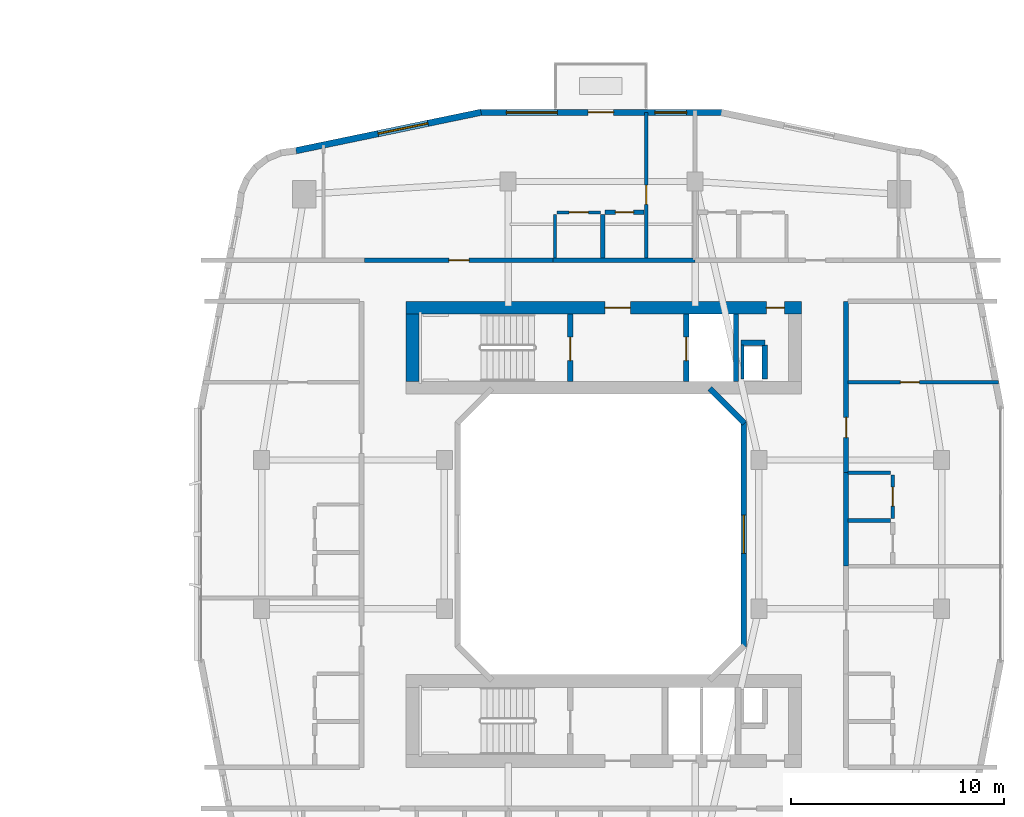
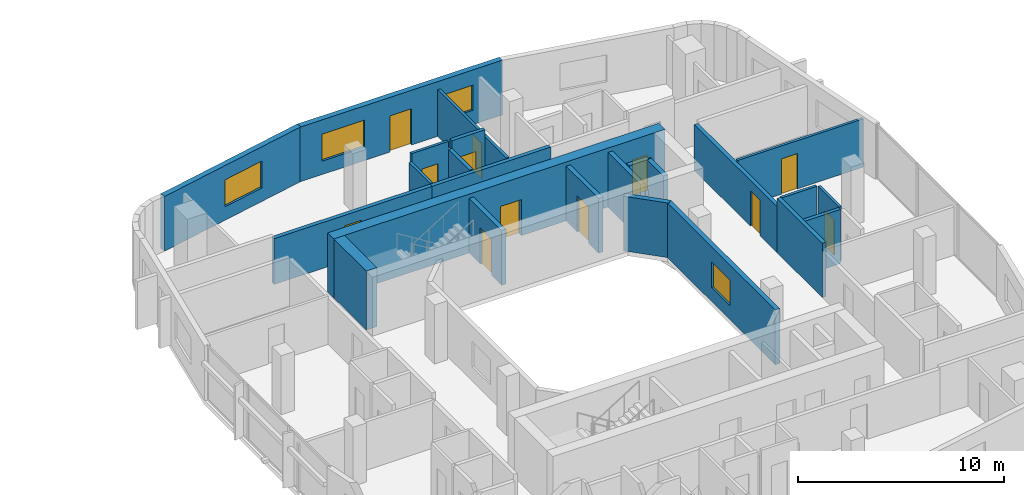
# One storey, part 15 of 22: 25 walls, 12 doors, 4 windows, 16 openings.
"""IFC4 building model written with IfcOpenShell, lengths in metres."""

from ifc_helpers import new_model, si_unit, derived_unit, direction, frame, frame_2d, origin, place, context, subcontext, project, spatial, rectangle, extrude, material, layer, layer_set, type_object, element, fill, save


model = new_model("IFC4")

# Units and contexts
model_context = context("Model", 3, precision=1e-05, world=origin(), true_north=direction((0.0, 1.0)))
body_context = subcontext(model_context, "Body", "Model", "MODEL_VIEW")
ifc_project = project(units=[si_unit("LENGTHUNIT", "METRE"), si_unit("AREAUNIT", "SQUARE_METRE"), si_unit("VOLUMEUNIT", "CUBIC_METRE"), si_unit("PLANEANGLEUNIT", "RADIAN"), si_unit("MASSUNIT", "GRAM", prefix="KILO"), derived_unit("THERMALTRANSMITTANCEUNIT", [(si_unit("POWERUNIT", "WATT"), 1), (si_unit("LENGTHUNIT", "METRE"), -2), (si_unit("THERMODYNAMICTEMPERATUREUNIT", "KELVIN"), -1)])], contexts=[model_context])

# Site, building, storey
site_placement = place(None, origin())
site = spatial("IfcSite", under=ifc_project, at=site_placement, CompositionType="ELEMENT")
building_placement = place(site_placement, origin())
building = spatial("IfcBuilding", under=site, at=building_placement, Name="Kivonza Crest Hotel", CompositionType="ELEMENT")
storey_placement = place(building_placement, frame((0.0, 0.0, 27.5)))
storey = spatial("IfcBuildingStorey", under=building, at=storey_placement, Name="L06", CompositionType="ELEMENT", Elevation=27.5)

# Wall
ifc_material_1 = material(Name="Autoclaved aerated concrete blockwork", Category="masonry")
ifc_layer_1 = layer(ifc_material_1, 0.219970703125)
ifc_layer_set_1 = layer_set([ifc_layer_1], Name="Autoclaved aerated concrete blockwork")
wall_type_1 = type_object("IfcWallType", Name="WL-ACOU-220", PredefinedType="SOLIDWALL", material=ifc_layer_set_1)
wall_1_placement = place(storey_placement, frame((74.719970703125, 37.89990234375, 0.0), z_axis=(0.0, 0.0, 1.0), x_axis=(1.0, 0.0, 0.0)))
element("IfcWall", 1, at=wall_1_placement, inside=storey, type_object=wall_type_1, Name="L06 interior partition WA-L06-A01-RCORR", PredefinedType="SOLIDWALL", context=body_context, shape_type="SweptSolid", body=[
    extrude(rectangle(XDim=6.679931640625, YDim=0.219970703125, at=frame_2d((3.33984375, 0.0))), origin(), (0.0, 0.0, 1.0), 2.72509765625),
])

# Wall, opening, door
wall_2_placement = place(storey_placement, frame((65.85009765625, 37.89990234375, 0.0), z_axis=(0.0, 0.0, 1.0), x_axis=(1.0, 0.0, 0.0)))
wall_2 = element("IfcWall", 2, at=wall_2_placement, inside=storey, type_object=wall_type_1, Name="L06 interior partition WA-L06-A01-MCORR", PredefinedType="SOLIDWALL", context=body_context, shape_type="SweptSolid", body=[
    extrude(rectangle(XDim=8.869873046875, YDim=0.219970703125, at=frame_2d((4.43505859375, 0.0))), origin(), (0.0, 0.0, 1.0), 2.72509765625),
])
opening_1_placement = place(wall_2_placement, frame((3.9599609375, 0.0, 0.0)))
opening_1 = element("IfcOpeningElement", 3, at=opening_1_placement, cuts=wall_2, Name="Opening DU-60", PredefinedType="OPENING", context=body_context, shape_type="SweptSolid", body=[
    extrude(rectangle(XDim=0.949951171875, YDim=2.10009765625, at=frame_2d((0.47509765625, 1.050048828125))), frame((0.0, 0.1201171875, 0.0), z_axis=(0.0, -1.0, 0.0), x_axis=(1.0, 0.0, 0.0)), (0.0, 0.0, 1.0), 0.239990234375),
])
ifc_material_2 = material(Name="Hardwood timber oak", Category="wood")
door_type_1 = type_object("IfcDoorType", Name="DR-UNIT-950", OperationType="NOTDEFINED", PredefinedType="DOOR", material=ifc_material_2)
door_1_placement = place(opening_1_placement, origin())
door_1 = element("IfcDoor", 4, at=door_1_placement, inside=storey, type_object=door_type_1, Name="L06 A01 apartment entrance fire door", OperationType="SINGLE_SWING_LEFT", OverallHeight=2.10009765625, OverallWidth=0.949951171875, PredefinedType="DOOR", context=body_context, shape_type="SweptSolid", body=[
    extrude(rectangle(XDim=0.949951171875, YDim=2.10009765625, at=frame_2d((0.47509765625, 1.050048828125))), frame((0.0, 0.02490234375, 0.0), z_axis=(0.0, -1.0, 0.0), x_axis=(1.0, 0.0, 0.0)), (0.0, 0.0, 1.0), 0.050048828125),
])
fill(opening_1, door_1)

# Wall
wall_3_placement = place(storey_placement, frame((88.5, 23.5, 0.0), z_axis=(0.0, 0.0, 1.0), x_axis=(0.0, 1.0, 0.0)))
element("IfcWall", 5, at=wall_3_placement, inside=storey, type_object=wall_type_1, Name="L06 interior partition WA-L06-A08-BCORR", PredefinedType="SOLIDWALL", context=body_context, shape_type="SweptSolid", body=[
    extrude(rectangle(XDim=4.39990234375, YDim=0.219970703125, at=frame_2d((2.199951171875, 0.0))), origin(), (0.0, 0.0, 1.0), 3.219970703125),
])

# Wall, opening, door
wall_4_placement = place(storey_placement, frame((88.5, 27.89990234375, 0.0), z_axis=(0.0, 0.0, 1.0), x_axis=(0.0, 1.0, 0.0)))
wall_4 = element("IfcWall", 6, at=wall_4_placement, inside=storey, type_object=wall_type_1, Name="L06 interior partition WA-L06-A08-MCORR", PredefinedType="SOLIDWALL", context=body_context, shape_type="SweptSolid", body=[
    extrude(rectangle(XDim=8.06005859375, YDim=0.219970703125, at=frame_2d((4.030029296875, 0.0))), origin(), (0.0, 0.0, 1.0), 2.72509765625),
])
opening_2_placement = place(wall_4_placement, frame((1.655029296875, 0.0, 0.0)))
opening_2 = element("IfcOpeningElement", 7, at=opening_2_placement, cuts=wall_4, Name="Opening DU-60", PredefinedType="OPENING", context=body_context, shape_type="SweptSolid", body=[
    extrude(rectangle(XDim=0.949951171875, YDim=2.10009765625, at=frame_2d((0.47509765625, 1.050048828125))), frame((0.0, 0.1201171875, 0.0), z_axis=(0.0, -1.0, 0.0), x_axis=(1.0, 0.0, 0.0)), (0.0, 0.0, 1.0), 0.239990234375),
])
door_2_placement = place(opening_2_placement, frame((0.949951171875, 0.0, 0.0), z_axis=(0.0, 0.0, 1.0), x_axis=(-1.0, 0.0, 0.0)))
door_2 = element("IfcDoor", 8, at=door_2_placement, inside=storey, type_object=door_type_1, Name="L06 A08 apartment entrance fire door", OperationType="SINGLE_SWING_RIGHT", OverallHeight=2.10009765625, OverallWidth=0.949951171875, PredefinedType="DOOR", context=body_context, shape_type="SweptSolid", body=[
    extrude(rectangle(XDim=0.949951171875, YDim=2.10009765625, at=frame_2d((0.47509765625, 1.050048828125))), frame((0.0, 0.02490234375, 0.0), z_axis=(0.0, -1.0, 0.0), x_axis=(1.0, 0.0, 0.0)), (0.0, 0.0, 1.0), 0.050048828125),
])
fill(opening_2, door_2)

# Wall, openings, doors
ifc_material_3 = material(Name="Concrete C60/75", Category="concrete")
ifc_layer_2 = layer(ifc_material_3, 0.60009765625)
ifc_layer_set_2 = layer_set([ifc_layer_2], Name="Concrete C60/75")
wall_type_2 = type_object("IfcWallType", Name="WL-CORE-600", PredefinedType="SHEAR", material=ifc_layer_set_2)
wall_5_placement = place(storey_placement, frame((67.800048828125, 35.659912109375, 0.0), z_axis=(0.0, 0.0, 1.0), x_axis=(1.0, 0.0, 0.0)))
wall_5 = element("IfcWall", 9, at=wall_5_placement, inside=storey, type_object=wall_type_2, Name="Core wall T2-N North L06", PredefinedType="SHEAR", context=body_context, shape_type="SweptSolid", body=[
    extrude(rectangle(XDim=18.599853515625, YDim=0.60009765625, at=frame_2d((9.2998046875, 0.0))), origin(), (0.0, 0.0, 1.0), 3.5),
])
opening_3_placement = place(wall_5_placement, frame((9.35009765625, 0.0, 0.0)))
opening_3 = element("IfcOpeningElement", 10, at=opening_3_placement, cuts=wall_5, Name="Opening DF-60", PredefinedType="OPENING", context=body_context, shape_type="SweptSolid", body=[
    extrude(rectangle(XDim=1.199951171875, YDim=2.14990234375, at=frame_2d((0.60009765625, 1.074951171875))), frame((0.0, 0.31005859375, 0.0), z_axis=(0.0, -1.0, 0.0), x_axis=(1.0, 0.0, 0.0)), (0.0, 0.0, 1.0), 0.6201171875),
])
opening_4_placement = place(wall_5_placement, frame((16.949951171875, 0.0, 0.0)))
opening_4 = element("IfcOpeningElement", 11, at=opening_4_placement, cuts=wall_5, Name="Opening DF-60R", PredefinedType="OPENING", context=body_context, shape_type="SweptSolid", body=[
    extrude(rectangle(XDim=0.85009765625, YDim=2.10009765625, at=frame_2d((0.425048828125, 1.050048828125))), frame((0.0, 0.31005859375, 0.0), z_axis=(0.0, -1.0, 0.0), x_axis=(1.0, 0.0, 0.0)), (0.0, 0.0, 1.0), 0.6201171875),
])
door_type_2 = type_object("IfcDoorType", Name="DR-FD60-1200", OperationType="NOTDEFINED", PredefinedType="DOOR", material=ifc_material_2)
door_3_placement = place(opening_3_placement, origin())
door_3 = element("IfcDoor", 12, at=door_3_placement, inside=storey, type_object=door_type_2, Name="L06 T2-N firefighting lobby fire door", OperationType="SINGLE_SWING_RIGHT", OverallHeight=2.14990234375, OverallWidth=1.199951171875, PredefinedType="DOOR", context=body_context, shape_type="SweptSolid", body=[
    extrude(rectangle(XDim=1.199951171875, YDim=2.14990234375, at=frame_2d((0.60009765625, 1.074951171875))), frame((0.0, 0.02490234375, 0.0), z_axis=(0.0, -1.0, 0.0), x_axis=(1.0, 0.0, 0.0)), (0.0, 0.0, 1.0), 0.050048828125),
])
fill(opening_3, door_3)
door_type_3 = type_object("IfcDoorType", Name="DR-FD60-850", OperationType="NOTDEFINED", PredefinedType="DOOR", material=ifc_material_2)
door_4_placement = place(opening_4_placement, origin())
door_4 = element("IfcDoor", 13, at=door_4_placement, inside=storey, type_object=door_type_3, Name="L06 T2-N core room door", OperationType="SINGLE_SWING_RIGHT", OverallHeight=2.10009765625, OverallWidth=0.85009765625, PredefinedType="DOOR", context=body_context, shape_type="SweptSolid", body=[
    extrude(rectangle(XDim=0.85009765625, YDim=2.10009765625, at=frame_2d((0.425048828125, 1.050048828125))), frame((0.0, 0.02490234375, 0.0), z_axis=(0.0, -1.0, 0.0), x_axis=(1.0, 0.0, 0.0)), (0.0, 0.0, 1.0), 0.050048828125),
])
fill(opening_4, door_4)

# Wall
wall_6_placement = place(storey_placement, frame((68.10009765625, 32.199951171875, 0.0), z_axis=(0.0, 0.0, 1.0), x_axis=(0.0, 1.0, 0.0)))
element("IfcWall", 14, at=wall_6_placement, inside=storey, type_object=wall_type_2, Name="Core wall T2-N West L06", PredefinedType="SHEAR", context=body_context, shape_type="SweptSolid", body=[
    extrude(rectangle(XDim=3.16015625, YDim=0.60009765625, at=frame_2d((1.580078125, 0.0))), origin(), (0.0, 0.0, 1.0), 3.5),
])

# Wall, opening, window
ifc_material_4 = material(Name="Precast concrete C40/50", Category="concrete")
ifc_layer_3 = layer(ifc_material_4, 0.260009765625)
ifc_layer_set_3 = layer_set([ifc_layer_3], Name="Precast concrete C40/50")
wall_type_3 = type_object("IfcWallType", Name="WL-EXT-260", PredefinedType="STANDARD", material=ifc_layer_set_3)
wall_7_placement = place(storey_placement, frame((83.68994140625, 19.7099609375, 0.0), z_axis=(0.0, 0.0, 1.0), x_axis=(0.0, 1.0, 0.0)))
wall_7 = element("IfcWall", 15, at=wall_7_placement, inside=storey, type_object=wall_type_3, Name="L06 T2 light-well exterior wall 3", PredefinedType="STANDARD", context=body_context, shape_type="SweptSolid", body=[
    extrude(rectangle(XDim=10.580078125, YDim=0.260009765625, at=frame_2d((5.2900390625, 0.0))), origin(), (0.0, 0.0, 1.0), 3.25),
])
opening_5_placement = place(wall_7_placement, frame((4.389892578125, 0.0, 0.85009765625)))
opening_5 = element("IfcOpeningElement", 16, at=opening_5_placement, cuts=wall_7, Name="Opening WN-03", PredefinedType="OPENING", context=body_context, shape_type="SweptSolid", body=[
    extrude(rectangle(XDim=1.800048828125, YDim=1.5, at=frame_2d((0.89990234375, 0.75))), frame((0.0, 0.14013671875, 0.0), z_axis=(0.0, -1.0, 0.0), x_axis=(1.0, 0.0, 0.0)), (0.0, 0.0, 1.0), 0.280029296875),
])
ifc_material_5 = material(Name="Thermally broken bronze aluminium and low-E double glazing", Category="aluminium")
window_type_1 = type_object("IfcWindowType", Name="WN-180x150", PartitioningType="DOUBLE_PANEL_VERTICAL", PredefinedType="WINDOW", material=ifc_material_5)
window_1_placement = place(opening_5_placement, origin())
window_1 = element("IfcWindow", 17, at=window_1_placement, inside=storey, type_object=window_type_1, Name="L06 T2 light-well window 3", OverallHeight=1.5, OverallWidth=1.800048828125, PartitioningType="SINGLE_PANEL", PredefinedType="WINDOW", context=body_context, shape_type="SweptSolid", body=[
    extrude(rectangle(XDim=1.800048828125, YDim=1.5, at=frame_2d((0.89990234375, 0.75))), frame((0.0, 0.030029296875, 0.0), z_axis=(0.0, -1.0, 0.0), x_axis=(1.0, 0.0, 0.0)), (0.0, 0.0, 1.0), 0.06005859375),
])
fill(opening_5, window_1)

# Wall
wall_8_placement = place(storey_placement, frame((83.716064453125, 30.22802734375, 0.0), z_axis=(0.0, 0.0, 1.0), x_axis=(-0.707106781187, 0.707106781187, 0.0)))
element("IfcWall", 18, at=wall_8_placement, inside=storey, type_object=wall_type_3, Name="L06 T2 light-well exterior wall 4", PredefinedType="STANDARD", context=body_context, shape_type="SweptSolid", body=[
    extrude(rectangle(XDim=2.310791015625, YDim=0.260009765625, at=frame_2d((1.1552734375, 0.0))), origin(), (0.0, 0.0, 1.0), 3.25),
])

# Wall, openings, door, windows
ifc_layer_4 = layer(ifc_material_4, 0.300048828125)
ifc_layer_set_4 = layer_set([ifc_layer_4], Name="Precast concrete C40/50")
wall_type_4 = type_object("IfcWallType", Name="WL-EXT-300", PredefinedType="STANDARD", material=ifc_layer_set_4)
wall_9_placement = place(storey_placement, frame((82.673095703125, 44.85009765625, 0.0), z_axis=(0.0, 0.0, 1.0), x_axis=(-1.0, 0.0, 0.0)))
wall_9 = element("IfcWall", 19, at=wall_9_placement, inside=storey, type_object=wall_type_4, Name="L06 T2 exterior insulated wall 26", PredefinedType="STANDARD", context=body_context, shape_type="SweptSolid", body=[
    extrude(rectangle(XDim=11.39111328125, YDim=0.300048828125, at=frame_2d((5.695556640625, 0.0))), origin(), (0.0, 0.0, 1.0), 3.25),
])
opening_6_placement = place(wall_9_placement, frame((5.113037109375, 0.0, 0.0)))
opening_6 = element("IfcOpeningElement", 20, at=opening_6_placement, cuts=wall_9, Name="Opening DT-120", PredefinedType="OPENING", context=body_context, shape_type="SweptSolid", body=[
    extrude(rectangle(XDim=1.199951171875, YDim=2.14990234375, at=frame_2d((0.60009765625, 1.074951171875))), frame((0.0, 0.16015625, 0.0), z_axis=(0.0, -1.0, 0.0), x_axis=(1.0, 0.0, 0.0)), (0.0, 0.0, 1.0), 0.320068359375),
])
opening_7_placement = place(wall_9_placement, frame((1.673095703125, 0.0, 0.85009765625)))
opening_7 = element("IfcOpeningElement", 21, at=opening_7_placement, cuts=wall_9, Name="Opening WN-02", PredefinedType="OPENING", context=body_context, shape_type="SweptSolid", body=[
    extrude(rectangle(XDim=1.5, YDim=1.5, at=frame_2d((0.75, 0.75))), frame((0.0, 0.16015625, 0.0), z_axis=(0.0, -1.0, 0.0), x_axis=(1.0, 0.0, 0.0)), (0.0, 0.0, 1.0), 0.320068359375),
])
opening_8_placement = place(wall_9_placement, frame((7.757080078125, 0.0, 0.800048828125)))
opening_8 = element("IfcOpeningElement", 22, at=opening_8_placement, cuts=wall_9, Name="Opening WN-05", PredefinedType="OPENING", context=body_context, shape_type="SweptSolid", body=[
    extrude(rectangle(XDim=2.39990234375, YDim=1.60009765625, at=frame_2d((1.199951171875, 0.800048828125))), frame((0.0, 0.16015625, 0.0), z_axis=(0.0, -1.0, 0.0), x_axis=(1.0, 0.0, 0.0)), (0.0, 0.0, 1.0), 0.320068359375),
])
ifc_material_6 = material(Name="Anodised bronze aluminium and laminated safety glass", Category="aluminium")
door_type_4 = type_object("IfcDoorType", Name="DR-TERR-1200", OperationType="NOTDEFINED", PredefinedType="DOOR", material=ifc_material_6)
door_5_placement = place(opening_6_placement, frame((1.199951171875, 0.0, 0.0), z_axis=(0.0, 0.0, 1.0), x_axis=(-1.0, 0.0, 0.0)))
door_5 = element("IfcDoor", 23, at=door_5_placement, inside=storey, type_object=door_type_4, Name="T2 L06 NE sky-garden bridge access door", OperationType="SINGLE_SWING_RIGHT", OverallHeight=2.14990234375, OverallWidth=1.199951171875, PredefinedType="DOOR", context=body_context, shape_type="SweptSolid", body=[
    extrude(rectangle(XDim=1.199951171875, YDim=2.14990234375, at=frame_2d((0.60009765625, 1.074951171875))), frame((0.0, 0.02490234375, 0.0), z_axis=(0.0, -1.0, 0.0), x_axis=(1.0, 0.0, 0.0)), (0.0, 0.0, 1.0), 0.050048828125),
])
fill(opening_6, door_5)
window_type_2 = type_object("IfcWindowType", Name="WN-150x150", PartitioningType="DOUBLE_PANEL_VERTICAL", PredefinedType="WINDOW", material=ifc_material_5)
window_2_placement = place(opening_7_placement, origin())
window_2 = element("IfcWindow", 24, at=window_2_placement, inside=storey, type_object=window_type_2, Name="L06 T2 facade window 26 bay 1", OverallHeight=1.5, OverallWidth=1.5, PartitioningType="SINGLE_PANEL", PredefinedType="WINDOW", context=body_context, shape_type="SweptSolid", body=[
    extrude(rectangle(XDim=1.5, YDim=1.5, at=frame_2d((0.75, 0.75))), frame((0.0, 0.030029296875, 0.0), z_axis=(0.0, -1.0, 0.0), x_axis=(1.0, 0.0, 0.0)), (0.0, 0.0, 1.0), 0.06005859375),
])
fill(opening_7, window_2)
window_type_3 = type_object("IfcWindowType", Name="WN-240x160", PartitioningType="TRIPLE_PANEL_VERTICAL", PredefinedType="WINDOW", material=ifc_material_5)
window_3_placement = place(opening_8_placement, origin())
window_3 = element("IfcWindow", 25, at=window_3_placement, inside=storey, type_object=window_type_3, Name="L06 T2 facade window 26 bay 2", OverallHeight=1.60009765625, OverallWidth=2.39990234375, PartitioningType="SINGLE_PANEL", PredefinedType="WINDOW", context=body_context, shape_type="SweptSolid", body=[
    extrude(rectangle(XDim=2.39990234375, YDim=1.60009765625, at=frame_2d((1.199951171875, 0.800048828125))), frame((0.0, 0.030029296875, 0.0), z_axis=(0.0, -1.0, 0.0), x_axis=(1.0, 0.0, 0.0)), (0.0, 0.0, 1.0), 0.06005859375),
])
fill(opening_8, window_3)

# Wall, opening, window
wall_10_placement = place(storey_placement, frame((71.325927734375, 44.85791015625, 0.0), z_axis=(0.0, 0.0, 1.0), x_axis=(-0.979124350489, -0.203262161453, 0.0)))
wall_10 = element("IfcWall", 26, at=wall_10_placement, inside=storey, type_object=wall_type_4, Name="L06 T2 exterior insulated wall 27", PredefinedType="STANDARD", context=body_context, shape_type="SweptSolid", body=[
    extrude(rectangle(XDim=8.889404296875, YDim=0.300048828125, at=frame_2d((4.44482421875, 0.0))), origin(), (0.0, 0.0, 1.0), 3.25),
])
opening_9_placement = place(wall_10_placement, frame((2.548095703125, 0.0, 0.800048828125)))
opening_9 = element("IfcOpeningElement", 27, at=opening_9_placement, cuts=wall_10, Name="Opening WN-05", PredefinedType="OPENING", context=body_context, shape_type="SweptSolid", body=[
    extrude(rectangle(XDim=2.39990234375, YDim=1.60009765625, at=frame_2d((1.199951171875, 0.800048828125))), frame((0.0, 0.16015625, 0.0), z_axis=(0.0, -1.0, 0.0), x_axis=(1.0, 0.0, 0.0)), (0.0, 0.0, 1.0), 0.320068359375),
])
window_4_placement = place(opening_9_placement, origin())
window_4 = element("IfcWindow", 28, at=window_4_placement, inside=storey, type_object=window_type_3, Name="L06 T2 facade window 27", OverallHeight=1.60009765625, OverallWidth=2.39990234375, PartitioningType="SINGLE_PANEL", PredefinedType="WINDOW", context=body_context, shape_type="SweptSolid", body=[
    extrude(rectangle(XDim=2.39990234375, YDim=1.60009765625, at=frame_2d((1.199951171875, 0.800048828125))), frame((0.0, 0.030029296875, 0.0), z_axis=(0.0, -1.0, 0.0), x_axis=(1.0, 0.0, 0.0)), (0.0, 0.0, 1.0), 0.06005859375),
])
fill(opening_9, window_4)

# Walls
ifc_material_7 = material(Name="Concrete blockwork fire-compartment wall", Category="masonry")
ifc_layer_5 = layer(ifc_material_7, 0.25)
ifc_layer_set_5 = layer_set([ifc_layer_5], Name="Concrete blockwork fire-compartment wall")
wall_type_5 = type_object("IfcWallType", Name="WL-FIRE-250", PredefinedType="SOLIDWALL", material=ifc_layer_set_5)
wall_11_placement = place(storey_placement, frame((84.679931640625, 32.300048828125, 0.0), z_axis=(0.0, 0.0, 1.0), x_axis=(0.0, 1.0, 0.0)))
element("IfcWall", 29, at=wall_11_placement, inside=storey, type_object=wall_type_5, Name="L06 interior partition WA-L06-T2-N-MEPR-E", PredefinedType="SOLIDWALL", context=body_context, shape_type="SweptSolid", body=[
    extrude(rectangle(XDim=1.619873046875, YDim=0.25, at=frame_2d((0.81005859375, 0.0))), origin(), (0.0, 0.0, 1.0), 3.219970703125),
])
wall_12_placement = place(storey_placement, frame((83.550048828125, 34.02001953125, 0.0), z_axis=(0.0, 0.0, 1.0), x_axis=(1.0, 0.0, 0.0)))
element("IfcWall", 30, at=wall_12_placement, inside=storey, type_object=wall_type_5, Name="L06 interior partition WA-L06-T2-N-MEPR-H", PredefinedType="SOLIDWALL", context=body_context, shape_type="SweptSolid", body=[
    extrude(rectangle(XDim=1.1298828125, YDim=0.25, at=frame_2d((0.56494140625, 0.0))), origin(), (0.0, 0.0, 1.0), 3.219970703125),
])
ifc_material_8 = material(Name="Twin-stud acoustic gypsum board partition", Category="gypsum")
ifc_layer_6 = layer(ifc_material_8, 0.14990234375)
ifc_layer_set_6 = layer_set([ifc_layer_6], Name="Twin-stud acoustic gypsum board partition")
wall_type_6 = type_object("IfcWallType", Name="WL-PART-150", PredefinedType="PARTITIONING", material=ifc_layer_set_6)
wall_13_placement = place(storey_placement, frame((83.6298828125, 32.300048828125, 0.0), z_axis=(0.0, 0.0, 1.0), x_axis=(0.0, 1.0, 0.0)))
element("IfcWall", 31, at=wall_13_placement, inside=storey, type_object=wall_type_6, Name="L06 interior partition WA-L06-T2-N-MEPR-W", PredefinedType="PARTITIONING", context=body_context, shape_type="SweptSolid", body=[
    extrude(rectangle(XDim=1.619873046875, YDim=0.14990234375, at=frame_2d((0.81005859375, 0.0))), origin(), (0.0, 0.0, 1.0), 2.72509765625),
])

# Wall, opening, door
wall_14_placement = place(storey_placement, frame((79.10009765625, 38.0, 0.0), z_axis=(0.0, 0.0, 1.0), x_axis=(0.0, 1.0, 0.0)))
wall_14 = element("IfcWall", 32, at=wall_14_placement, inside=storey, type_object=wall_type_6, Name="L06 interior partition WP-L06-A01-BDW2", PredefinedType="PARTITIONING", context=body_context, shape_type="SweptSolid", body=[
    extrude(rectangle(XDim=6.840087890625, YDim=0.14990234375, at=frame_2d((3.419921875, 0.0))), origin(), (0.0, 0.0, 1.0), 2.77490234375),
])
opening_10_placement = place(wall_14_placement, frame((2.530029296875, 0.0, 0.0)))
opening_10 = element("IfcOpeningElement", 33, at=opening_10_placement, cuts=wall_14, Name="Opening DI-90", PredefinedType="OPENING", context=body_context, shape_type="SweptSolid", body=[
    extrude(rectangle(XDim=0.89990234375, YDim=2.10009765625, at=frame_2d((0.449951171875, 1.050048828125))), frame((0.0, 0.0849609375, 0.0), z_axis=(0.0, -1.0, 0.0), x_axis=(1.0, 0.0, 0.0)), (0.0, 0.0, 1.0), 0.169921875),
])
door_type_5 = type_object("IfcDoorType", Name="DR-INT-900", OperationType="NOTDEFINED", PredefinedType="DOOR", material=ifc_material_2)
door_6_placement = place(opening_10_placement, origin())
door_6 = element("IfcDoor", 34, at=door_6_placement, inside=storey, type_object=door_type_5, Name="L06 A01 bedroom 2 door", OperationType="SINGLE_SWING_LEFT", OverallHeight=2.10009765625, OverallWidth=0.89990234375, PredefinedType="DOOR", context=body_context, shape_type="SweptSolid", body=[
    extrude(rectangle(XDim=0.89990234375, YDim=2.10009765625, at=frame_2d((0.449951171875, 1.050048828125))), frame((0.0, 0.02490234375, 0.0), z_axis=(0.0, -1.0, 0.0), x_axis=(1.0, 0.0, 0.0)), (0.0, 0.0, 1.0), 0.050048828125),
])
fill(opening_10, door_6)

# Wall
wall_15_placement = place(storey_placement, frame((74.800048828125, 38.0, 0.0), z_axis=(0.0, 0.0, 1.0), x_axis=(0.0, 1.0, 0.0)))
element("IfcWall", 35, at=wall_15_placement, inside=storey, type_object=wall_type_6, Name="L06 interior partition WP-L06-A01-KF", PredefinedType="PARTITIONING", context=body_context, shape_type="SweptSolid", body=[
    extrude(rectangle(XDim=2.050048828125, YDim=0.14990234375, at=frame_2d((1.02490234375, 0.0))), origin(), (0.0, 0.0, 1.0), 2.77490234375),
])

# Wall, opening, door
wall_16_placement = place(storey_placement, frame((74.89990234375, 40.14990234375, 0.0), z_axis=(0.0, 0.0, 1.0), x_axis=(1.0, 0.0, 0.0)))
wall_16 = element("IfcWall", 36, at=wall_16_placement, inside=storey, type_object=wall_type_6, Name="L06 interior partition WP-L06-A01-KSVC", PredefinedType="PARTITIONING", context=body_context, shape_type="SweptSolid", body=[
    extrude(rectangle(XDim=2.050048828125, YDim=0.14990234375, at=frame_2d((1.02490234375, 0.0))), origin(), (0.0, 0.0, 1.0), 3.219970703125),
])
opening_11_placement = place(wall_16_placement, frame((0.574951171875, 0.0, 0.0)))
opening_11 = element("IfcOpeningElement", 37, at=opening_11_placement, cuts=wall_16, Name="Opening DI-90", PredefinedType="OPENING", context=body_context, shape_type="SweptSolid", body=[
    extrude(rectangle(XDim=0.89990234375, YDim=2.10009765625, at=frame_2d((0.449951171875, 1.050048828125))), frame((0.0, 0.0849609375, 0.0), z_axis=(0.0, -1.0, 0.0), x_axis=(1.0, 0.0, 0.0)), (0.0, 0.0, 1.0), 0.169921875),
])
door_7_placement = place(opening_11_placement, origin())
door_7 = element("IfcDoor", 38, at=door_7_placement, inside=storey, type_object=door_type_5, Name="L06 A01 apartment kitchen door", OperationType="SINGLE_SWING_LEFT", OverallHeight=2.10009765625, OverallWidth=0.89990234375, PredefinedType="DOOR", context=body_context, shape_type="SweptSolid", body=[
    extrude(rectangle(XDim=0.89990234375, YDim=2.10009765625, at=frame_2d((0.449951171875, 1.050048828125))), frame((0.0, 0.02490234375, 0.0), z_axis=(0.0, -1.0, 0.0), x_axis=(1.0, 0.0, 0.0)), (0.0, 0.0, 1.0), 0.050048828125),
])
fill(opening_11, door_7)

wall_17_placement = place(storey_placement, frame((88.60009765625, 32.159912109375, 0.0), z_axis=(0.0, 0.0, 1.0), x_axis=(1.0, 0.0, 0.0)))
wall_17 = element("IfcWall", 39, at=wall_17_placement, inside=storey, type_object=wall_type_6, Name="L06 interior partition WP-L06-A08-BD1", PredefinedType="PARTITIONING", context=body_context, shape_type="SweptSolid", body=[
    extrude(rectangle(XDim=7.059814453125, YDim=0.14990234375, at=frame_2d((3.52978515625, 0.0))), origin(), (0.0, 0.0, 1.0), 2.864990234375),
])
opening_12_placement = place(wall_17_placement, frame((2.449951171875, 0.0, 0.0)))
opening_12 = element("IfcOpeningElement", 40, at=opening_12_placement, cuts=wall_17, Name="Opening DI-90", PredefinedType="OPENING", context=body_context, shape_type="SweptSolid", body=[
    extrude(rectangle(XDim=0.89990234375, YDim=2.10009765625, at=frame_2d((0.449951171875, 1.050048828125))), frame((0.0, 0.0849609375, 0.0), z_axis=(0.0, -1.0, 0.0), x_axis=(1.0, 0.0, 0.0)), (0.0, 0.0, 1.0), 0.169921875),
])
door_8_placement = place(opening_12_placement, origin())
door_8 = element("IfcDoor", 41, at=door_8_placement, inside=storey, type_object=door_type_5, Name="L06 A08 bedroom door", OperationType="SINGLE_SWING_LEFT", OverallHeight=2.10009765625, OverallWidth=0.89990234375, PredefinedType="DOOR", context=body_context, shape_type="SweptSolid", body=[
    extrude(rectangle(XDim=0.89990234375, YDim=2.10009765625, at=frame_2d((0.449951171875, 1.050048828125))), frame((0.0, 0.02490234375, 0.0), z_axis=(0.0, -1.0, 0.0), x_axis=(1.0, 0.0, 0.0)), (0.0, 0.0, 1.0), 0.050048828125),
])
fill(opening_12, door_8)

# Wall
wall_18_placement = place(storey_placement, frame((88.60009765625, 27.89990234375, 0.0), z_axis=(0.0, 0.0, 1.0), x_axis=(1.0, 0.0, 0.0)))
element("IfcWall", 42, at=wall_18_placement, inside=storey, type_object=wall_type_6, Name="L06 interior partition WP-L06-A08-KF", PredefinedType="PARTITIONING", context=body_context, shape_type="SweptSolid", body=[
    extrude(rectangle(XDim=2.0, YDim=0.14990234375, at=frame_2d((1.0, 0.0))), origin(), (0.0, 0.0, 1.0), 3.219970703125),
])

# Wall, opening, door
wall_19_placement = place(storey_placement, frame((90.699951171875, 25.75, 0.0), z_axis=(0.0, 0.0, 1.0), x_axis=(0.0, 1.0, 0.0)))
wall_19 = element("IfcWall", 43, at=wall_19_placement, inside=storey, type_object=wall_type_6, Name="L06 interior partition WP-L06-A08-KSVC", PredefinedType="PARTITIONING", context=body_context, shape_type="SweptSolid", body=[
    extrude(rectangle(XDim=2.050048828125, YDim=0.14990234375, at=frame_2d((1.02490234375, 0.0))), origin(), (0.0, 0.0, 1.0), 3.219970703125),
])
opening_13_placement = place(wall_19_placement, frame((0.574951171875, 0.0, 0.0)))
opening_13 = element("IfcOpeningElement", 44, at=opening_13_placement, cuts=wall_19, Name="Opening DI-90", PredefinedType="OPENING", context=body_context, shape_type="SweptSolid", body=[
    extrude(rectangle(XDim=0.89990234375, YDim=2.10009765625, at=frame_2d((0.449951171875, 1.050048828125))), frame((0.0, 0.0849609375, 0.0), z_axis=(0.0, -1.0, 0.0), x_axis=(1.0, 0.0, 0.0)), (0.0, 0.0, 1.0), 0.169921875),
])
door_9_placement = place(opening_13_placement, frame((0.89990234375, 0.0, 0.0), z_axis=(0.0, 0.0, 1.0), x_axis=(-1.0, 0.0, 0.0)))
door_9 = element("IfcDoor", 45, at=door_9_placement, inside=storey, type_object=door_type_5, Name="L06 A08 apartment kitchen door", OperationType="SINGLE_SWING_RIGHT", OverallHeight=2.10009765625, OverallWidth=0.89990234375, PredefinedType="DOOR", context=body_context, shape_type="SweptSolid", body=[
    extrude(rectangle(XDim=0.89990234375, YDim=2.10009765625, at=frame_2d((0.449951171875, 1.050048828125))), frame((0.0, 0.02490234375, 0.0), z_axis=(0.0, -1.0, 0.0), x_axis=(1.0, 0.0, 0.0)), (0.0, 0.0, 1.0), 0.050048828125),
])
fill(opening_13, door_9)

# Wall
ifc_material_9 = material(Name="Moisture-resistant plumbing chase partition wall", Category="gypsum")
ifc_layer_7 = layer(ifc_material_9, 0.199951171875)
ifc_layer_set_7 = layer_set([ifc_layer_7], Name="Moisture-resistant plumbing chase partition wall")
wall_type_7 = type_object("IfcWallType", Name="WL-PLUMB-200", PredefinedType="PLUMBINGWALL", material=ifc_layer_set_7)
wall_20_placement = place(storey_placement, frame((77.050048828125, 38.0, 0.0), z_axis=(0.0, 0.0, 1.0), x_axis=(0.0, 1.0, 0.0)))
element("IfcWall", 46, at=wall_20_placement, inside=storey, type_object=wall_type_7, Name="L06 interior partition WW-L06-A01-BK", PredefinedType="PLUMBINGWALL", context=body_context, shape_type="SweptSolid", body=[
    extrude(rectangle(XDim=2.050048828125, YDim=0.199951171875, at=frame_2d((1.02490234375, 0.0))), origin(), (0.0, 0.0, 1.0), 2.77490234375),
])

# Wall, opening, door
wall_21_placement = place(storey_placement, frame((77.14990234375, 40.14990234375, 0.0), z_axis=(0.0, 0.0, 1.0), x_axis=(1.0, 0.0, 0.0)))
wall_21 = element("IfcWall", 47, at=wall_21_placement, inside=storey, type_object=wall_type_7, Name="L06 interior partition WW-L06-A01-BSVC", PredefinedType="PLUMBINGWALL", context=body_context, shape_type="SweptSolid", body=[
    extrude(rectangle(XDim=1.85009765625, YDim=0.199951171875, at=frame_2d((0.925048828125, 0.0))), origin(), (0.0, 0.0, 1.0), 3.219970703125),
])
opening_14_placement = place(wall_21_placement, frame((0.5, 0.0, 0.0)))
opening_14 = element("IfcOpeningElement", 48, at=opening_14_placement, cuts=wall_21, Name="Opening DI-85", PredefinedType="OPENING", context=body_context, shape_type="SweptSolid", body=[
    extrude(rectangle(XDim=0.85009765625, YDim=2.10009765625, at=frame_2d((0.425048828125, 1.050048828125))), frame((0.0, 0.10986328125, 0.0), z_axis=(0.0, -1.0, 0.0), x_axis=(1.0, 0.0, 0.0)), (0.0, 0.0, 1.0), 0.219970703125),
])
door_type_6 = type_object("IfcDoorType", Name="DR-INT-850", OperationType="NOTDEFINED", PredefinedType="DOOR", material=ifc_material_2)
door_10_placement = place(opening_14_placement, origin())
door_10 = element("IfcDoor", 49, at=door_10_placement, inside=storey, type_object=door_type_6, Name="L06 A01 apartment bathroom door", OperationType="SINGLE_SWING_RIGHT", OverallHeight=2.10009765625, OverallWidth=0.85009765625, PredefinedType="DOOR", context=body_context, shape_type="SweptSolid", body=[
    extrude(rectangle(XDim=0.85009765625, YDim=2.10009765625, at=frame_2d((0.425048828125, 1.050048828125))), frame((0.0, 0.02490234375, 0.0), z_axis=(0.0, -1.0, 0.0), x_axis=(1.0, 0.0, 0.0)), (0.0, 0.0, 1.0), 0.050048828125),
])
fill(opening_14, door_10)

# Wall
wall_22_placement = place(storey_placement, frame((88.60009765625, 25.64990234375, 0.0), z_axis=(0.0, 0.0, 1.0), x_axis=(1.0, 0.0, 0.0)))
element("IfcWall", 50, at=wall_22_placement, inside=storey, type_object=wall_type_7, Name="L06 interior partition WW-L06-A08-BK", PredefinedType="PLUMBINGWALL", context=body_context, shape_type="SweptSolid", body=[
    extrude(rectangle(XDim=2.0, YDim=0.199951171875, at=frame_2d((1.0, 0.0))), origin(), (0.0, 0.0, 1.0), 3.219970703125),
])

# Wall, opening, door
ifc_material_10 = material(Name="Concrete C50/60", Category="concrete")
ifc_layer_8 = layer(ifc_material_10, 0.25)
ifc_layer_set_8 = layer_set([ifc_layer_8], Name="Concrete C50/60")
wall_type_8 = type_object("IfcWallType", Name="WL-SHAFT-250", PredefinedType="STANDARD", material=ifc_layer_set_8)
wall_23_placement = place(storey_placement, frame((75.52490234375, 32.199951171875, 0.0), z_axis=(0.0, 0.0, 1.0), x_axis=(0.0, 1.0, 0.0)))
wall_23 = element("IfcWall", 51, at=wall_23_placement, inside=storey, type_object=wall_type_8, Name="Core shaft wall T2-N STAIR L06", PredefinedType="STANDARD", context=body_context, shape_type="SweptSolid", body=[
    extrude(rectangle(XDim=3.16015625, YDim=0.25, at=frame_2d((1.580078125, 0.0))), origin(), (0.0, 0.0, 1.0), 3.25),
])
opening_15_placement = place(wall_23_placement, frame((0.97998046875, 0.0, 0.0)))
opening_15 = element("IfcOpeningElement", 52, at=opening_15_placement, cuts=wall_23, Name="Opening DF-120", PredefinedType="OPENING", context=body_context, shape_type="SweptSolid", body=[
    extrude(rectangle(XDim=1.10009765625, YDim=2.14990234375, at=frame_2d((0.550048828125, 1.074951171875))), frame((0.0, 0.135009765625, 0.0), z_axis=(0.0, -1.0, 0.0), x_axis=(1.0, 0.0, 0.0)), (0.0, 0.0, 1.0), 0.27001953125),
])
ifc_material_11 = material(Name="Galvanised steel", Category="steel")
door_type_7 = type_object("IfcDoorType", Name="DR-FD120-1100", OperationType="NOTDEFINED", PredefinedType="DOOR", material=ifc_material_11)
door_11_placement = place(opening_15_placement, frame((1.10009765625, 0.0, 0.0), z_axis=(0.0, 0.0, 1.0), x_axis=(-1.0, 0.0, 0.0)))
door_11 = element("IfcDoor", 53, at=door_11_placement, inside=storey, type_object=door_type_7, Name="L06 T2-N stair fire door", OperationType="SINGLE_SWING_LEFT", OverallHeight=2.14990234375, OverallWidth=1.10009765625, PredefinedType="DOOR", context=body_context, shape_type="SweptSolid", body=[
    extrude(rectangle(XDim=1.10009765625, YDim=2.14990234375, at=frame_2d((0.550048828125, 1.074951171875))), frame((0.0, 0.02490234375, 0.0), z_axis=(0.0, -1.0, 0.0), x_axis=(1.0, 0.0, 0.0)), (0.0, 0.0, 1.0), 0.050048828125),
])
fill(opening_15, door_11)

wall_24_placement = place(storey_placement, frame((80.97509765625, 32.199951171875, 0.0), z_axis=(0.0, 0.0, 1.0), x_axis=(0.0, 1.0, 0.0)))
wall_24 = element("IfcWall", 54, at=wall_24_placement, inside=storey, type_object=wall_type_8, Name="Core shaft wall T2-N FFL-W L06", PredefinedType="STANDARD", context=body_context, shape_type="SweptSolid", body=[
    extrude(rectangle(XDim=3.16015625, YDim=0.25, at=frame_2d((1.580078125, 0.0))), origin(), (0.0, 0.0, 1.0), 3.25),
])
opening_16_placement = place(wall_24_placement, frame((0.97998046875, 0.0, 0.0)))
opening_16 = element("IfcOpeningElement", 55, at=opening_16_placement, cuts=wall_24, Name="Opening LD-120", PredefinedType="OPENING", context=body_context, shape_type="SweptSolid", body=[
    extrude(rectangle(XDim=1.10009765625, YDim=2.14990234375, at=frame_2d((0.550048828125, 1.074951171875))), frame((0.0, 0.135009765625, 0.0), z_axis=(0.0, -1.0, 0.0), x_axis=(1.0, 0.0, 0.0)), (0.0, 0.0, 1.0), 0.27001953125),
])
ifc_material_12 = material(Name="Stainless steel", Category="steel")
door_type_8 = type_object("IfcDoorType", Name="DR-LD120-1100", OperationType="NOTDEFINED", PredefinedType="DOOR", material=ifc_material_12)
door_12_placement = place(opening_16_placement, origin())
door_12 = element("IfcDoor", 56, at=door_12_placement, inside=storey, type_object=door_type_8, Name="L06 FFL-T2 firefighting lift sliding landing door", OperationType="DOUBLE_DOOR_SLIDING", OverallHeight=2.14990234375, OverallWidth=1.10009765625, PredefinedType="DOOR", context=body_context, shape_type="SweptSolid", body=[
    extrude(rectangle(XDim=1.10009765625, YDim=2.14990234375, at=frame_2d((0.550048828125, 1.074951171875))), frame((0.0, 0.02490234375, 0.0), z_axis=(0.0, -1.0, 0.0), x_axis=(1.0, 0.0, 0.0)), (0.0, 0.0, 1.0), 0.050048828125),
])
fill(opening_16, door_12)

# Wall
wall_25_placement = place(storey_placement, frame((83.324951171875, 32.199951171875, 0.0), z_axis=(0.0, 0.0, 1.0), x_axis=(0.0, 1.0, 0.0)))
element("IfcWall", 57, at=wall_25_placement, inside=storey, type_object=wall_type_8, Name="Core shaft wall T2-N FFL-E L06", PredefinedType="STANDARD", context=body_context, shape_type="SweptSolid", body=[
    extrude(rectangle(XDim=3.16015625, YDim=0.25, at=frame_2d((1.580078125, 0.0))), origin(), (0.0, 0.0, 1.0), 3.25),
])

save(model, "model.ifc")
